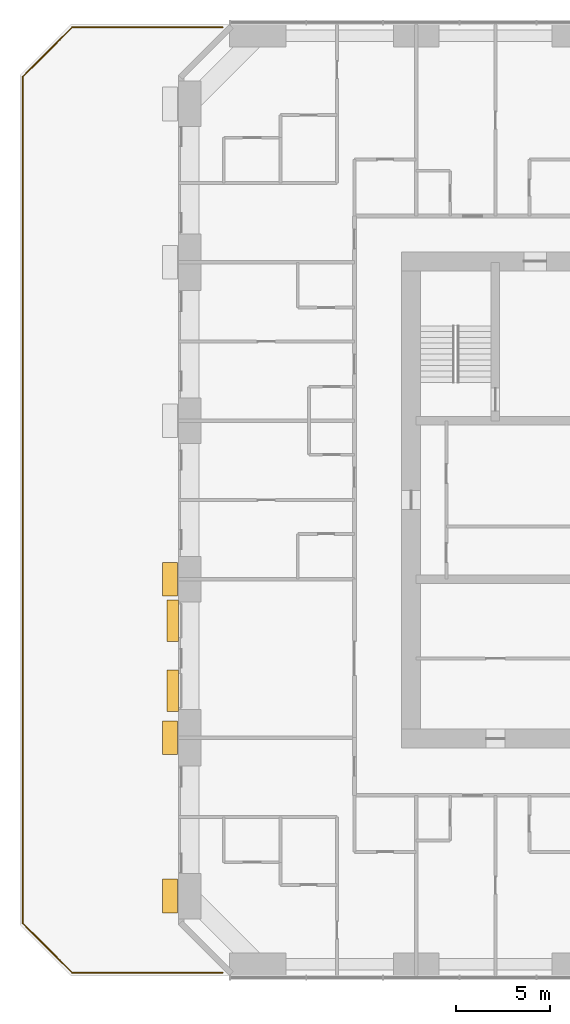
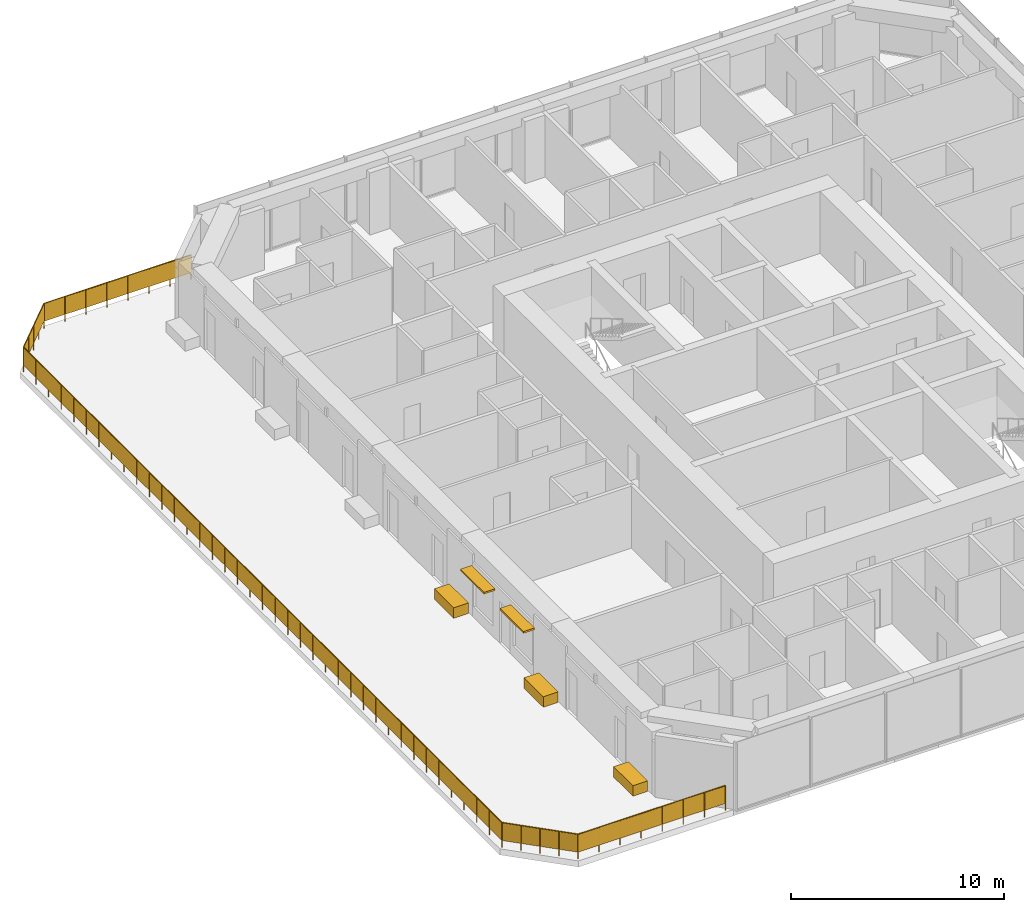
# One storey, part 12 of 13: 3 coverings, 2 shading devices, 1 railing.
"""IFC4 building model written with IfcOpenShell, lengths in metres."""

from ifc_helpers import new_model, si_unit, direction, frame, origin, origin_2d, place, context, subcontext, project, spatial, polyline, rectangle, circle, outline, extrude, material, layer, layer_set, type_object, element, save


model = new_model("IFC4")

# Units and contexts
model_context = context("Model", 3, precision=1e-05, world=origin(), true_north=direction((0.0, 1.0)))
body_context = subcontext(model_context, "Body", "Model", "MODEL_VIEW")
ifc_project = project(units=[si_unit("LENGTHUNIT", "METRE"), si_unit("AREAUNIT", "SQUARE_METRE"), si_unit("VOLUMEUNIT", "CUBIC_METRE"), si_unit("PLANEANGLEUNIT", "RADIAN"), si_unit("MASSUNIT", "GRAM", prefix="KILO")], contexts=[model_context])

# Site, building, storey
site_placement = place(None, origin())
site = spatial("IfcSite", under=ifc_project, at=site_placement, CompositionType="ELEMENT")
building_placement = place(site_placement, origin())
building = spatial("IfcBuilding", under=site, at=building_placement, Name="Dunama Terrace Hotel", CompositionType="ELEMENT")
storey_placement = place(building_placement, frame((0.0, 0.0, 225.60009765625)))
storey = spatial("IfcBuildingStorey", under=building, at=storey_placement, Name="L58", CompositionType="ELEMENT", Elevation=225.60009765625)

# Railing
ifc_material_1 = material(Name="Stainless steel and laminated glass guard", Category="steel")
railing_type = type_object("IfcRailingType", Name="Guard 1100", PredefinedType="GUARDRAIL", material=ifc_material_1)
railing_placement = place(storey_placement, frame((14.93798828125, 54.449951171875, 0.3408203125)))
element("IfcRailing", 1, at=railing_placement, inside=storey, type_object=railing_type, Name="Terrace guard L58", PredefinedType="GUARDRAIL", context=body_context, shape_type="SweptSolid", body=[
    extrude(circle(Radius=0.02392578125, at=origin_2d()), frame((0.0, 0.0, 1.076171875), z_axis=(-1.0, 0.0, 0.0), x_axis=(0.0, -1.0, 0.0)), (0.0, 0.0, 1.0), 7.97607421875),
    extrude(circle(Radius=0.02392578125, at=origin_2d()), frame((-7.97607421875, 0.0, 1.076171875), z_axis=(-0.707073733409, -0.70713982742, 0.0), x_axis=(0.70713982742, -0.707073733409, 0.0)), (0.0, 0.0, 1.0), 3.69384765625),
    extrude(circle(Radius=0.02392578125, at=origin_2d()), frame((-10.587890625, -2.612060546875, 1.076171875), z_axis=(0.0, -1.0, 0.0), x_axis=(1.0, 0.0, 0.0)), (0.0, 0.0, 1.0), 44.8759765625),
    extrude(circle(Radius=0.02392578125, at=origin_2d()), frame((-10.587890625, -47.488037109375, 1.076171875), z_axis=(0.707106781187, -0.707106781187, 0.0), x_axis=(0.707106781187, 0.707106781187, 0.0)), (0.0, 0.0, 1.0), 3.693603515625),
    extrude(circle(Radius=0.02392578125, at=origin_2d()), frame((-7.97607421875, -50.099853515625, 1.076171875), z_axis=(1.0, 0.0, 0.0), x_axis=(0.0, 1.0, 0.0)), (0.0, 0.0, 1.0), 7.97607421875),
    extrude(circle(Radius=0.02099609375, at=origin_2d()), frame((0.0, 0.0, -0.341064453125)), (0.0, 0.0, 1.0), 1.39306640625),
    extrude(circle(Radius=0.02099609375, at=origin_2d()), frame((-1.139404296875, 0.0, -0.341064453125)), (0.0, 0.0, 1.0), 1.39306640625),
    extrude(circle(Radius=0.02099609375, at=origin_2d()), frame((-2.27880859375, 0.0, -0.341064453125)), (0.0, 0.0, 1.0), 1.39306640625),
    extrude(circle(Radius=0.02099609375, at=origin_2d()), frame((-3.418212890625, 0.0, -0.341064453125)), (0.0, 0.0, 1.0), 1.39306640625),
    extrude(circle(Radius=0.02099609375, at=origin_2d()), frame((-4.557861328125, 0.0, -0.341064453125)), (0.0, 0.0, 1.0), 1.39306640625),
    extrude(circle(Radius=0.02099609375, at=origin_2d()), frame((-5.697265625, 0.0, -0.341064453125)), (0.0, 0.0, 1.0), 1.39306640625),
    extrude(circle(Radius=0.02099609375, at=origin_2d()), frame((-6.836669921875, 0.0, -0.341064453125)), (0.0, 0.0, 1.0), 1.39306640625),
    extrude(circle(Radius=0.02099609375, at=origin_2d()), frame((-7.97607421875, 0.0, -0.341064453125)), (0.0, 0.0, 1.0), 1.39306640625),
    extrude(circle(Radius=0.02099609375, at=origin_2d()), frame((-8.62890625, -0.653076171875, -0.341064453125)), (0.0, 0.0, 1.0), 1.39306640625),
    extrude(circle(Radius=0.02099609375, at=origin_2d()), frame((-9.281982421875, -1.30615234375, -0.341064453125)), (0.0, 0.0, 1.0), 1.39306640625),
    extrude(circle(Radius=0.02099609375, at=origin_2d()), frame((-9.93505859375, -1.958984375, -0.341064453125)), (0.0, 0.0, 1.0), 1.39306640625),
    extrude(circle(Radius=0.02099609375, at=origin_2d()), frame((-10.587890625, -2.612060546875, -0.341064453125)), (0.0, 0.0, 1.0), 1.39306640625),
    extrude(circle(Radius=0.02099609375, at=origin_2d()), frame((-10.587890625, -3.79296875, -0.341064453125)), (0.0, 0.0, 1.0), 1.39306640625),
    extrude(circle(Radius=0.02099609375, at=origin_2d()), frame((-10.587890625, -4.973876953125, -0.341064453125)), (0.0, 0.0, 1.0), 1.39306640625),
    extrude(circle(Radius=0.02099609375, at=origin_2d()), frame((-10.587890625, -6.15478515625, -0.341064453125)), (0.0, 0.0, 1.0), 1.39306640625),
    extrude(circle(Radius=0.02099609375, at=origin_2d()), frame((-10.587890625, -7.3359375, -0.341064453125)), (0.0, 0.0, 1.0), 1.39306640625),
    extrude(circle(Radius=0.02099609375, at=origin_2d()), frame((-10.587890625, -8.516845703125, -0.341064453125)), (0.0, 0.0, 1.0), 1.39306640625),
    extrude(circle(Radius=0.02099609375, at=origin_2d()), frame((-10.587890625, -9.69775390625, -0.341064453125)), (0.0, 0.0, 1.0), 1.39306640625),
    extrude(circle(Radius=0.02099609375, at=origin_2d()), frame((-10.587890625, -10.878662109375, -0.341064453125)), (0.0, 0.0, 1.0), 1.39306640625),
    extrude(circle(Radius=0.02099609375, at=origin_2d()), frame((-10.587890625, -12.0595703125, -0.341064453125)), (0.0, 0.0, 1.0), 1.39306640625),
    extrude(circle(Radius=0.02099609375, at=origin_2d()), frame((-10.587890625, -13.240478515625, -0.341064453125)), (0.0, 0.0, 1.0), 1.39306640625),
    extrude(circle(Radius=0.02099609375, at=origin_2d()), frame((-10.587890625, -14.421630859375, -0.341064453125)), (0.0, 0.0, 1.0), 1.39306640625),
    extrude(circle(Radius=0.02099609375, at=origin_2d()), frame((-10.587890625, -15.6025390625, -0.341064453125)), (0.0, 0.0, 1.0), 1.39306640625),
    extrude(circle(Radius=0.02099609375, at=origin_2d()), frame((-10.587890625, -16.783447265625, -0.341064453125)), (0.0, 0.0, 1.0), 1.39306640625),
    extrude(circle(Radius=0.02099609375, at=origin_2d()), frame((-10.587890625, -17.96435546875, -0.341064453125)), (0.0, 0.0, 1.0), 1.39306640625),
    extrude(circle(Radius=0.02099609375, at=origin_2d()), frame((-10.587890625, -19.145263671875, -0.341064453125)), (0.0, 0.0, 1.0), 1.39306640625),
    extrude(circle(Radius=0.02099609375, at=origin_2d()), frame((-10.587890625, -20.326171875, -0.341064453125)), (0.0, 0.0, 1.0), 1.39306640625),
    extrude(circle(Radius=0.02099609375, at=origin_2d()), frame((-10.587890625, -21.50732421875, -0.341064453125)), (0.0, 0.0, 1.0), 1.39306640625),
    extrude(circle(Radius=0.02099609375, at=origin_2d()), frame((-10.587890625, -22.688232421875, -0.341064453125)), (0.0, 0.0, 1.0), 1.39306640625),
    extrude(circle(Radius=0.02099609375, at=origin_2d()), frame((-10.587890625, -23.869140625, -0.341064453125)), (0.0, 0.0, 1.0), 1.39306640625),
    extrude(circle(Radius=0.02099609375, at=origin_2d()), frame((-10.587890625, -25.050048828125, -0.341064453125)), (0.0, 0.0, 1.0), 1.39306640625),
    extrude(circle(Radius=0.02099609375, at=origin_2d()), frame((-10.587890625, -26.23095703125, -0.341064453125)), (0.0, 0.0, 1.0), 1.39306640625),
    extrude(circle(Radius=0.02099609375, at=origin_2d()), frame((-10.587890625, -27.411865234375, -0.341064453125)), (0.0, 0.0, 1.0), 1.39306640625),
    extrude(circle(Radius=0.02099609375, at=origin_2d()), frame((-10.587890625, -28.5927734375, -0.341064453125)), (0.0, 0.0, 1.0), 1.39306640625),
    extrude(circle(Radius=0.02099609375, at=origin_2d()), frame((-10.587890625, -29.77392578125, -0.341064453125)), (0.0, 0.0, 1.0), 1.39306640625),
    extrude(circle(Radius=0.02099609375, at=origin_2d()), frame((-10.587890625, -30.954833984375, -0.341064453125)), (0.0, 0.0, 1.0), 1.39306640625),
    extrude(circle(Radius=0.02099609375, at=origin_2d()), frame((-10.587890625, -32.1357421875, -0.341064453125)), (0.0, 0.0, 1.0), 1.39306640625),
    extrude(circle(Radius=0.02099609375, at=origin_2d()), frame((-10.587890625, -33.316650390625, -0.341064453125)), (0.0, 0.0, 1.0), 1.39306640625),
    extrude(circle(Radius=0.02099609375, at=origin_2d()), frame((-10.587890625, -34.49755859375, -0.341064453125)), (0.0, 0.0, 1.0), 1.39306640625),
    extrude(circle(Radius=0.02099609375, at=origin_2d()), frame((-10.587890625, -35.678466796875, -0.341064453125)), (0.0, 0.0, 1.0), 1.39306640625),
    extrude(circle(Radius=0.02099609375, at=origin_2d()), frame((-10.587890625, -36.859619140625, -0.341064453125)), (0.0, 0.0, 1.0), 1.39306640625),
    extrude(circle(Radius=0.02099609375, at=origin_2d()), frame((-10.587890625, -38.04052734375, -0.341064453125)), (0.0, 0.0, 1.0), 1.39306640625),
    extrude(circle(Radius=0.02099609375, at=origin_2d()), frame((-10.587890625, -39.221435546875, -0.341064453125)), (0.0, 0.0, 1.0), 1.39306640625),
    extrude(circle(Radius=0.02099609375, at=origin_2d()), frame((-10.587890625, -40.40234375, -0.341064453125)), (0.0, 0.0, 1.0), 1.39306640625),
    extrude(circle(Radius=0.02099609375, at=origin_2d()), frame((-10.587890625, -41.583251953125, -0.341064453125)), (0.0, 0.0, 1.0), 1.39306640625),
    extrude(circle(Radius=0.02099609375, at=origin_2d()), frame((-10.587890625, -42.76416015625, -0.341064453125)), (0.0, 0.0, 1.0), 1.39306640625),
    extrude(circle(Radius=0.02099609375, at=origin_2d()), frame((-10.587890625, -43.9453125, -0.341064453125)), (0.0, 0.0, 1.0), 1.39306640625),
    extrude(circle(Radius=0.02099609375, at=origin_2d()), frame((-10.587890625, -45.126220703125, -0.341064453125)), (0.0, 0.0, 1.0), 1.39306640625),
    extrude(circle(Radius=0.02099609375, at=origin_2d()), frame((-10.587890625, -46.30712890625, -0.341064453125)), (0.0, 0.0, 1.0), 1.39306640625),
    extrude(circle(Radius=0.02099609375, at=origin_2d()), frame((-10.587890625, -47.488037109375, -0.341064453125)), (0.0, 0.0, 1.0), 1.39306640625),
    extrude(circle(Radius=0.02099609375, at=origin_2d()), frame((-9.93505859375, -48.14111328125, -0.341064453125)), (0.0, 0.0, 1.0), 1.39306640625),
    extrude(circle(Radius=0.02099609375, at=origin_2d()), frame((-9.281982421875, -48.7939453125, -0.341064453125)), (0.0, 0.0, 1.0), 1.39306640625),
    extrude(circle(Radius=0.02099609375, at=origin_2d()), frame((-8.62890625, -49.44677734375, -0.341064453125)), (0.0, 0.0, 1.0), 1.39306640625),
    extrude(circle(Radius=0.02099609375, at=origin_2d()), frame((-7.97607421875, -50.099853515625, -0.341064453125)), (0.0, 0.0, 1.0), 1.39306640625),
    extrude(circle(Radius=0.02099609375, at=origin_2d()), frame((-6.836669921875, -50.099853515625, -0.341064453125)), (0.0, 0.0, 1.0), 1.39306640625),
    extrude(circle(Radius=0.02099609375, at=origin_2d()), frame((-5.697265625, -50.099853515625, -0.341064453125)), (0.0, 0.0, 1.0), 1.39306640625),
    extrude(circle(Radius=0.02099609375, at=origin_2d()), frame((-4.557861328125, -50.099853515625, -0.341064453125)), (0.0, 0.0, 1.0), 1.39306640625),
    extrude(circle(Radius=0.02099609375, at=origin_2d()), frame((-3.418212890625, -50.099853515625, -0.341064453125)), (0.0, 0.0, 1.0), 1.39306640625),
    extrude(circle(Radius=0.02099609375, at=origin_2d()), frame((-2.27880859375, -50.099853515625, -0.341064453125)), (0.0, 0.0, 1.0), 1.39306640625),
    extrude(circle(Radius=0.02099609375, at=origin_2d()), frame((-1.139404296875, -50.099853515625, -0.341064453125)), (0.0, 0.0, 1.0), 1.39306640625),
    extrude(circle(Radius=0.02099609375, at=origin_2d()), frame((0.0, -50.099853515625, -0.341064453125)), (0.0, 0.0, 1.0), 1.39306640625),
    extrude(outline(polyline([(0.0048828125, 0.050048828125), (1.134521484375, 0.050048828125), (1.134521484375, 1.076171875), (0.0048828125, 1.076171875), (0.0048828125, 0.050048828125)])), frame((0.0, -0.0087890625, 0.0), z_axis=(0.0, 1.0, 0.0), x_axis=(-1.0, 0.0, 0.0)), (0.0, 0.0, 1.0), 0.017578125),
    extrude(outline(polyline([(0.0048828125, 0.050048828125), (1.134521484375, 0.050048828125), (1.134521484375, 1.076171875), (0.0048828125, 1.076171875), (0.0048828125, 0.050048828125)])), frame((-1.139404296875, -0.0087890625, 0.0), z_axis=(0.0, 1.0, 0.0), x_axis=(-1.0, 0.0, 0.0)), (0.0, 0.0, 1.0), 0.017578125),
    extrude(outline(polyline([(0.0048828125, 0.050048828125), (1.134521484375, 0.050048828125), (1.134521484375, 1.076171875), (0.0048828125, 1.076171875), (0.0048828125, 0.050048828125)])), frame((-2.27880859375, -0.0087890625, 0.0), z_axis=(0.0, 1.0, 0.0), x_axis=(-1.0, 0.0, 0.0)), (0.0, 0.0, 1.0), 0.017578125),
    extrude(outline(polyline([(0.0048828125, 0.050048828125), (1.134521484375, 0.050048828125), (1.134521484375, 1.076171875), (0.0048828125, 1.076171875), (0.0048828125, 0.050048828125)])), frame((-3.418212890625, -0.0087890625, 0.0), z_axis=(0.0, 1.0, 0.0), x_axis=(-1.0, 0.0, 0.0)), (0.0, 0.0, 1.0), 0.017578125),
    extrude(outline(polyline([(0.0048828125, 0.050048828125), (1.134521484375, 0.050048828125), (1.134521484375, 1.076171875), (0.0048828125, 1.076171875), (0.0048828125, 0.050048828125)])), frame((-4.557861328125, -0.0087890625, 0.0), z_axis=(0.0, 1.0, 0.0), x_axis=(-1.0, 0.0, 0.0)), (0.0, 0.0, 1.0), 0.017578125),
    extrude(outline(polyline([(0.0048828125, 0.050048828125), (1.134521484375, 0.050048828125), (1.134521484375, 1.076171875), (0.0048828125, 1.076171875), (0.0048828125, 0.050048828125)])), frame((-5.697265625, -0.0087890625, 0.0), z_axis=(0.0, 1.0, 0.0), x_axis=(-1.0, 0.0, 0.0)), (0.0, 0.0, 1.0), 0.017578125),
    extrude(outline(polyline([(0.0048828125, 0.050048828125), (1.134521484375, 0.050048828125), (1.134521484375, 1.076171875), (0.0048828125, 1.076171875), (0.0048828125, 0.050048828125)])), frame((-6.836669921875, -0.0087890625, 0.0), z_axis=(0.0, 1.0, 0.0), x_axis=(-1.0, 0.0, 0.0)), (0.0, 0.0, 1.0), 0.017578125),
    extrude(outline(polyline([(0.0048828125, 0.050048828125), (0.91845703125, 0.050048828125), (0.91845703125, 1.076171875), (0.0048828125, 1.076171875), (0.0048828125, 0.050048828125)])), frame((-7.969970703125, -0.006103515625, 0.0), z_axis=(-0.70713982742, 0.707073733409, 0.0), x_axis=(-0.707073733409, -0.70713982742, 0.0)), (0.0, 0.0, 1.0), 0.017578125),
    extrude(outline(polyline([(0.0048828125, 0.050048828125), (0.91845703125, 0.050048828125), (0.91845703125, 1.076171875), (0.0048828125, 1.076171875), (0.0048828125, 0.050048828125)])), frame((-8.622802734375, -0.6591796875, 0.0), z_axis=(-0.70713982742, 0.707073733409, 0.0), x_axis=(-0.707073733409, -0.70713982742, 0.0)), (0.0, 0.0, 1.0), 0.017578125),
    extrude(outline(polyline([(0.0048828125, 0.050048828125), (0.91845703125, 0.050048828125), (0.91845703125, 1.076171875), (0.0048828125, 1.076171875), (0.0048828125, 0.050048828125)])), frame((-9.27587890625, -1.312255859375, 0.0), z_axis=(-0.70713982742, 0.707073733409, 0.0), x_axis=(-0.707073733409, -0.70713982742, 0.0)), (0.0, 0.0, 1.0), 0.017578125),
    extrude(outline(polyline([(0.0048828125, 0.050048828125), (0.91845703125, 0.050048828125), (0.91845703125, 1.076171875), (0.0048828125, 1.076171875), (0.0048828125, 0.050048828125)])), frame((-9.9287109375, -1.96533203125, 0.0), z_axis=(-0.70713982742, 0.707073733409, 0.0), x_axis=(-0.707073733409, -0.70713982742, 0.0)), (0.0, 0.0, 1.0), 0.017578125),
    extrude(outline(polyline([(0.0048828125, 0.050048828125), (1.176025390625, 0.050048828125), (1.176025390625, 1.076171875), (0.0048828125, 1.076171875), (0.0048828125, 0.050048828125)])), frame((-10.5791015625, -2.612060546875, 0.0), z_axis=(-1.0, 0.0, 0.0), x_axis=(0.0, -1.0, 0.0)), (0.0, 0.0, 1.0), 0.017578125),
    extrude(outline(polyline([(0.0048828125, 0.050048828125), (1.176025390625, 0.050048828125), (1.176025390625, 1.076171875), (0.0048828125, 1.076171875), (0.0048828125, 0.050048828125)])), frame((-10.5791015625, -3.79296875, 0.0), z_axis=(-1.0, 0.0, 0.0), x_axis=(0.0, -1.0, 0.0)), (0.0, 0.0, 1.0), 0.017578125),
    extrude(outline(polyline([(0.0048828125, 0.050048828125), (1.176025390625, 0.050048828125), (1.176025390625, 1.076171875), (0.0048828125, 1.076171875), (0.0048828125, 0.050048828125)])), frame((-10.5791015625, -4.973876953125, 0.0), z_axis=(-1.0, 0.0, 0.0), x_axis=(0.0, -1.0, 0.0)), (0.0, 0.0, 1.0), 0.017578125),
    extrude(outline(polyline([(0.0048828125, 0.050048828125), (1.176025390625, 0.050048828125), (1.176025390625, 1.076171875), (0.0048828125, 1.076171875), (0.0048828125, 0.050048828125)])), frame((-10.5791015625, -6.15478515625, 0.0), z_axis=(-1.0, 0.0, 0.0), x_axis=(0.0, -1.0, 0.0)), (0.0, 0.0, 1.0), 0.017578125),
    extrude(outline(polyline([(0.0048828125, 0.050048828125), (1.176025390625, 0.050048828125), (1.176025390625, 1.076171875), (0.0048828125, 1.076171875), (0.0048828125, 0.050048828125)])), frame((-10.5791015625, -7.3359375, 0.0), z_axis=(-1.0, 0.0, 0.0), x_axis=(0.0, -1.0, 0.0)), (0.0, 0.0, 1.0), 0.017578125),
    extrude(outline(polyline([(0.0048828125, 0.050048828125), (1.176025390625, 0.050048828125), (1.176025390625, 1.076171875), (0.0048828125, 1.076171875), (0.0048828125, 0.050048828125)])), frame((-10.5791015625, -8.516845703125, 0.0), z_axis=(-1.0, 0.0, 0.0), x_axis=(0.0, -1.0, 0.0)), (0.0, 0.0, 1.0), 0.017578125),
    extrude(outline(polyline([(0.0048828125, 0.050048828125), (1.176025390625, 0.050048828125), (1.176025390625, 1.076171875), (0.0048828125, 1.076171875), (0.0048828125, 0.050048828125)])), frame((-10.5791015625, -9.69775390625, 0.0), z_axis=(-1.0, 0.0, 0.0), x_axis=(0.0, -1.0, 0.0)), (0.0, 0.0, 1.0), 0.017578125),
    extrude(outline(polyline([(0.0048828125, 0.050048828125), (1.176025390625, 0.050048828125), (1.176025390625, 1.076171875), (0.0048828125, 1.076171875), (0.0048828125, 0.050048828125)])), frame((-10.5791015625, -10.878662109375, 0.0), z_axis=(-1.0, 0.0, 0.0), x_axis=(0.0, -1.0, 0.0)), (0.0, 0.0, 1.0), 0.017578125),
    extrude(outline(polyline([(0.0048828125, 0.050048828125), (1.176025390625, 0.050048828125), (1.176025390625, 1.076171875), (0.0048828125, 1.076171875), (0.0048828125, 0.050048828125)])), frame((-10.5791015625, -12.0595703125, 0.0), z_axis=(-1.0, 0.0, 0.0), x_axis=(0.0, -1.0, 0.0)), (0.0, 0.0, 1.0), 0.017578125),
    extrude(outline(polyline([(0.0048828125, 0.050048828125), (1.176025390625, 0.050048828125), (1.176025390625, 1.076171875), (0.0048828125, 1.076171875), (0.0048828125, 0.050048828125)])), frame((-10.5791015625, -13.240478515625, 0.0), z_axis=(-1.0, 0.0, 0.0), x_axis=(0.0, -1.0, 0.0)), (0.0, 0.0, 1.0), 0.017578125),
    extrude(outline(polyline([(0.0048828125, 0.050048828125), (1.176025390625, 0.050048828125), (1.176025390625, 1.076171875), (0.0048828125, 1.076171875), (0.0048828125, 0.050048828125)])), frame((-10.5791015625, -14.421630859375, 0.0), z_axis=(-1.0, 0.0, 0.0), x_axis=(0.0, -1.0, 0.0)), (0.0, 0.0, 1.0), 0.017578125),
    extrude(outline(polyline([(0.0048828125, 0.050048828125), (1.176025390625, 0.050048828125), (1.176025390625, 1.076171875), (0.0048828125, 1.076171875), (0.0048828125, 0.050048828125)])), frame((-10.5791015625, -15.6025390625, 0.0), z_axis=(-1.0, 0.0, 0.0), x_axis=(0.0, -1.0, 0.0)), (0.0, 0.0, 1.0), 0.017578125),
    extrude(outline(polyline([(0.0048828125, 0.050048828125), (1.176025390625, 0.050048828125), (1.176025390625, 1.076171875), (0.0048828125, 1.076171875), (0.0048828125, 0.050048828125)])), frame((-10.5791015625, -16.783447265625, 0.0), z_axis=(-1.0, 0.0, 0.0), x_axis=(0.0, -1.0, 0.0)), (0.0, 0.0, 1.0), 0.017578125),
    extrude(outline(polyline([(0.0048828125, 0.050048828125), (1.176025390625, 0.050048828125), (1.176025390625, 1.076171875), (0.0048828125, 1.076171875), (0.0048828125, 0.050048828125)])), frame((-10.5791015625, -17.96435546875, 0.0), z_axis=(-1.0, 0.0, 0.0), x_axis=(0.0, -1.0, 0.0)), (0.0, 0.0, 1.0), 0.017578125),
    extrude(outline(polyline([(0.0048828125, 0.050048828125), (1.176025390625, 0.050048828125), (1.176025390625, 1.076171875), (0.0048828125, 1.076171875), (0.0048828125, 0.050048828125)])), frame((-10.5791015625, -19.145263671875, 0.0), z_axis=(-1.0, 0.0, 0.0), x_axis=(0.0, -1.0, 0.0)), (0.0, 0.0, 1.0), 0.017578125),
    extrude(outline(polyline([(0.0048828125, 0.050048828125), (1.176025390625, 0.050048828125), (1.176025390625, 1.076171875), (0.0048828125, 1.076171875), (0.0048828125, 0.050048828125)])), frame((-10.5791015625, -20.326171875, 0.0), z_axis=(-1.0, 0.0, 0.0), x_axis=(0.0, -1.0, 0.0)), (0.0, 0.0, 1.0), 0.017578125),
    extrude(outline(polyline([(0.0048828125, 0.050048828125), (1.176025390625, 0.050048828125), (1.176025390625, 1.076171875), (0.0048828125, 1.076171875), (0.0048828125, 0.050048828125)])), frame((-10.5791015625, -21.50732421875, 0.0), z_axis=(-1.0, 0.0, 0.0), x_axis=(0.0, -1.0, 0.0)), (0.0, 0.0, 1.0), 0.017578125),
    extrude(outline(polyline([(0.0048828125, 0.050048828125), (1.176025390625, 0.050048828125), (1.176025390625, 1.076171875), (0.0048828125, 1.076171875), (0.0048828125, 0.050048828125)])), frame((-10.5791015625, -22.688232421875, 0.0), z_axis=(-1.0, 0.0, 0.0), x_axis=(0.0, -1.0, 0.0)), (0.0, 0.0, 1.0), 0.017578125),
    extrude(outline(polyline([(0.0048828125, 0.050048828125), (1.176025390625, 0.050048828125), (1.176025390625, 1.076171875), (0.0048828125, 1.076171875), (0.0048828125, 0.050048828125)])), frame((-10.5791015625, -23.869140625, 0.0), z_axis=(-1.0, 0.0, 0.0), x_axis=(0.0, -1.0, 0.0)), (0.0, 0.0, 1.0), 0.017578125),
    extrude(outline(polyline([(0.0048828125, 0.050048828125), (1.176025390625, 0.050048828125), (1.176025390625, 1.076171875), (0.0048828125, 1.076171875), (0.0048828125, 0.050048828125)])), frame((-10.5791015625, -25.050048828125, 0.0), z_axis=(-1.0, 0.0, 0.0), x_axis=(0.0, -1.0, 0.0)), (0.0, 0.0, 1.0), 0.017578125),
    extrude(outline(polyline([(0.0048828125, 0.050048828125), (1.176025390625, 0.050048828125), (1.176025390625, 1.076171875), (0.0048828125, 1.076171875), (0.0048828125, 0.050048828125)])), frame((-10.5791015625, -26.23095703125, 0.0), z_axis=(-1.0, 0.0, 0.0), x_axis=(0.0, -1.0, 0.0)), (0.0, 0.0, 1.0), 0.017578125),
    extrude(outline(polyline([(0.0048828125, 0.050048828125), (1.176025390625, 0.050048828125), (1.176025390625, 1.076171875), (0.0048828125, 1.076171875), (0.0048828125, 0.050048828125)])), frame((-10.5791015625, -27.411865234375, 0.0), z_axis=(-1.0, 0.0, 0.0), x_axis=(0.0, -1.0, 0.0)), (0.0, 0.0, 1.0), 0.017578125),
    extrude(outline(polyline([(0.0048828125, 0.050048828125), (1.176025390625, 0.050048828125), (1.176025390625, 1.076171875), (0.0048828125, 1.076171875), (0.0048828125, 0.050048828125)])), frame((-10.5791015625, -28.5927734375, 0.0), z_axis=(-1.0, 0.0, 0.0), x_axis=(0.0, -1.0, 0.0)), (0.0, 0.0, 1.0), 0.017578125),
    extrude(outline(polyline([(0.0048828125, 0.050048828125), (1.176025390625, 0.050048828125), (1.176025390625, 1.076171875), (0.0048828125, 1.076171875), (0.0048828125, 0.050048828125)])), frame((-10.5791015625, -29.77392578125, 0.0), z_axis=(-1.0, 0.0, 0.0), x_axis=(0.0, -1.0, 0.0)), (0.0, 0.0, 1.0), 0.017578125),
    extrude(outline(polyline([(0.0048828125, 0.050048828125), (1.176025390625, 0.050048828125), (1.176025390625, 1.076171875), (0.0048828125, 1.076171875), (0.0048828125, 0.050048828125)])), frame((-10.5791015625, -30.954833984375, 0.0), z_axis=(-1.0, 0.0, 0.0), x_axis=(0.0, -1.0, 0.0)), (0.0, 0.0, 1.0), 0.017578125),
    extrude(outline(polyline([(0.0048828125, 0.050048828125), (1.176025390625, 0.050048828125), (1.176025390625, 1.076171875), (0.0048828125, 1.076171875), (0.0048828125, 0.050048828125)])), frame((-10.5791015625, -32.1357421875, 0.0), z_axis=(-1.0, 0.0, 0.0), x_axis=(0.0, -1.0, 0.0)), (0.0, 0.0, 1.0), 0.017578125),
    extrude(outline(polyline([(0.0048828125, 0.050048828125), (1.176025390625, 0.050048828125), (1.176025390625, 1.076171875), (0.0048828125, 1.076171875), (0.0048828125, 0.050048828125)])), frame((-10.5791015625, -33.316650390625, 0.0), z_axis=(-1.0, 0.0, 0.0), x_axis=(0.0, -1.0, 0.0)), (0.0, 0.0, 1.0), 0.017578125),
    extrude(outline(polyline([(0.0048828125, 0.050048828125), (1.176025390625, 0.050048828125), (1.176025390625, 1.076171875), (0.0048828125, 1.076171875), (0.0048828125, 0.050048828125)])), frame((-10.5791015625, -34.49755859375, 0.0), z_axis=(-1.0, 0.0, 0.0), x_axis=(0.0, -1.0, 0.0)), (0.0, 0.0, 1.0), 0.017578125),
    extrude(outline(polyline([(0.0048828125, 0.050048828125), (1.176025390625, 0.050048828125), (1.176025390625, 1.076171875), (0.0048828125, 1.076171875), (0.0048828125, 0.050048828125)])), frame((-10.5791015625, -35.678466796875, 0.0), z_axis=(-1.0, 0.0, 0.0), x_axis=(0.0, -1.0, 0.0)), (0.0, 0.0, 1.0), 0.017578125),
    extrude(outline(polyline([(0.0048828125, 0.050048828125), (1.176025390625, 0.050048828125), (1.176025390625, 1.076171875), (0.0048828125, 1.076171875), (0.0048828125, 0.050048828125)])), frame((-10.5791015625, -36.859619140625, 0.0), z_axis=(-1.0, 0.0, 0.0), x_axis=(0.0, -1.0, 0.0)), (0.0, 0.0, 1.0), 0.017578125),
    extrude(outline(polyline([(0.0048828125, 0.050048828125), (1.176025390625, 0.050048828125), (1.176025390625, 1.076171875), (0.0048828125, 1.076171875), (0.0048828125, 0.050048828125)])), frame((-10.5791015625, -38.04052734375, 0.0), z_axis=(-1.0, 0.0, 0.0), x_axis=(0.0, -1.0, 0.0)), (0.0, 0.0, 1.0), 0.017578125),
    extrude(outline(polyline([(0.0048828125, 0.050048828125), (1.176025390625, 0.050048828125), (1.176025390625, 1.076171875), (0.0048828125, 1.076171875), (0.0048828125, 0.050048828125)])), frame((-10.5791015625, -39.221435546875, 0.0), z_axis=(-1.0, 0.0, 0.0), x_axis=(0.0, -1.0, 0.0)), (0.0, 0.0, 1.0), 0.017578125),
    extrude(outline(polyline([(0.0048828125, 0.050048828125), (1.176025390625, 0.050048828125), (1.176025390625, 1.076171875), (0.0048828125, 1.076171875), (0.0048828125, 0.050048828125)])), frame((-10.5791015625, -40.40234375, 0.0), z_axis=(-1.0, 0.0, 0.0), x_axis=(0.0, -1.0, 0.0)), (0.0, 0.0, 1.0), 0.017578125),
    extrude(outline(polyline([(0.0048828125, 0.050048828125), (1.176025390625, 0.050048828125), (1.176025390625, 1.076171875), (0.0048828125, 1.076171875), (0.0048828125, 0.050048828125)])), frame((-10.5791015625, -41.583251953125, 0.0), z_axis=(-1.0, 0.0, 0.0), x_axis=(0.0, -1.0, 0.0)), (0.0, 0.0, 1.0), 0.017578125),
    extrude(outline(polyline([(0.0048828125, 0.050048828125), (1.176025390625, 0.050048828125), (1.176025390625, 1.076171875), (0.0048828125, 1.076171875), (0.0048828125, 0.050048828125)])), frame((-10.5791015625, -42.76416015625, 0.0), z_axis=(-1.0, 0.0, 0.0), x_axis=(0.0, -1.0, 0.0)), (0.0, 0.0, 1.0), 0.017578125),
    extrude(outline(polyline([(0.0048828125, 0.050048828125), (1.176025390625, 0.050048828125), (1.176025390625, 1.076171875), (0.0048828125, 1.076171875), (0.0048828125, 0.050048828125)])), frame((-10.5791015625, -43.9453125, 0.0), z_axis=(-1.0, 0.0, 0.0), x_axis=(0.0, -1.0, 0.0)), (0.0, 0.0, 1.0), 0.017578125),
    extrude(outline(polyline([(0.0048828125, 0.050048828125), (1.176025390625, 0.050048828125), (1.176025390625, 1.076171875), (0.0048828125, 1.076171875), (0.0048828125, 0.050048828125)])), frame((-10.5791015625, -45.126220703125, 0.0), z_axis=(-1.0, 0.0, 0.0), x_axis=(0.0, -1.0, 0.0)), (0.0, 0.0, 1.0), 0.017578125),
    extrude(outline(polyline([(0.0048828125, 0.050048828125), (1.176025390625, 0.050048828125), (1.176025390625, 1.076171875), (0.0048828125, 1.076171875), (0.0048828125, 0.050048828125)])), frame((-10.5791015625, -46.30712890625, 0.0), z_axis=(-1.0, 0.0, 0.0), x_axis=(0.0, -1.0, 0.0)), (0.0, 0.0, 1.0), 0.017578125),
    extrude(outline(polyline([(0.0048828125, 0.050048828125), (0.91845703125, 0.050048828125), (0.91845703125, 1.076171875), (0.0048828125, 1.076171875), (0.0048828125, 0.050048828125)])), frame((-10.581787109375, -47.48193359375, 0.0), z_axis=(-0.707106781187, -0.707106781187, 0.0), x_axis=(0.707106781187, -0.707106781187, 0.0)), (0.0, 0.0, 1.0), 0.017578125),
    extrude(outline(polyline([(0.0048828125, 0.050048828125), (0.91845703125, 0.050048828125), (0.91845703125, 1.076171875), (0.0048828125, 1.076171875), (0.0048828125, 0.050048828125)])), frame((-9.9287109375, -48.134765625, 0.0), z_axis=(-0.707106781187, -0.707106781187, 0.0), x_axis=(0.707106781187, -0.707106781187, 0.0)), (0.0, 0.0, 1.0), 0.017578125),
    extrude(outline(polyline([(0.0048828125, 0.050048828125), (0.91845703125, 0.050048828125), (0.91845703125, 1.076171875), (0.0048828125, 1.076171875), (0.0048828125, 0.050048828125)])), frame((-9.27587890625, -48.787841796875, 0.0), z_axis=(-0.707106781187, -0.707106781187, 0.0), x_axis=(0.707106781187, -0.707106781187, 0.0)), (0.0, 0.0, 1.0), 0.017578125),
    extrude(outline(polyline([(0.0048828125, 0.050048828125), (0.91845703125, 0.050048828125), (0.91845703125, 1.076171875), (0.0048828125, 1.076171875), (0.0048828125, 0.050048828125)])), frame((-8.622802734375, -49.440673828125, 0.0), z_axis=(-0.707106781187, -0.707106781187, 0.0), x_axis=(0.707106781187, -0.707106781187, 0.0)), (0.0, 0.0, 1.0), 0.017578125),
    extrude(outline(polyline([(0.0048828125, 0.050048828125), (1.134521484375, 0.050048828125), (1.134521484375, 1.076171875), (0.0048828125, 1.076171875), (0.0048828125, 0.050048828125)])), frame((-7.97607421875, -50.091064453125, 0.0), z_axis=(0.0, -1.0, 0.0), x_axis=(1.0, 0.0, 0.0)), (0.0, 0.0, 1.0), 0.017578125),
    extrude(outline(polyline([(0.0048828125, 0.050048828125), (1.134521484375, 0.050048828125), (1.134521484375, 1.076171875), (0.0048828125, 1.076171875), (0.0048828125, 0.050048828125)])), frame((-6.836669921875, -50.091064453125, 0.0), z_axis=(0.0, -1.0, 0.0), x_axis=(1.0, 0.0, 0.0)), (0.0, 0.0, 1.0), 0.017578125),
    extrude(outline(polyline([(0.0048828125, 0.050048828125), (1.134521484375, 0.050048828125), (1.134521484375, 1.076171875), (0.0048828125, 1.076171875), (0.0048828125, 0.050048828125)])), frame((-5.697265625, -50.091064453125, 0.0), z_axis=(0.0, -1.0, 0.0), x_axis=(1.0, 0.0, 0.0)), (0.0, 0.0, 1.0), 0.017578125),
    extrude(outline(polyline([(0.0048828125, 0.050048828125), (1.134521484375, 0.050048828125), (1.134521484375, 1.076171875), (0.0048828125, 1.076171875), (0.0048828125, 0.050048828125)])), frame((-4.557861328125, -50.091064453125, 0.0), z_axis=(0.0, -1.0, 0.0), x_axis=(1.0, 0.0, 0.0)), (0.0, 0.0, 1.0), 0.017578125),
    extrude(outline(polyline([(0.0048828125, 0.050048828125), (1.134521484375, 0.050048828125), (1.134521484375, 1.076171875), (0.0048828125, 1.076171875), (0.0048828125, 0.050048828125)])), frame((-3.418212890625, -50.091064453125, 0.0), z_axis=(0.0, -1.0, 0.0), x_axis=(1.0, 0.0, 0.0)), (0.0, 0.0, 1.0), 0.017578125),
    extrude(outline(polyline([(0.0048828125, 0.050048828125), (1.134521484375, 0.050048828125), (1.134521484375, 1.076171875), (0.0048828125, 1.076171875), (0.0048828125, 0.050048828125)])), frame((-2.27880859375, -50.091064453125, 0.0), z_axis=(0.0, -1.0, 0.0), x_axis=(1.0, 0.0, 0.0)), (0.0, 0.0, 1.0), 0.017578125),
    extrude(outline(polyline([(0.0048828125, 0.050048828125), (1.134521484375, 0.050048828125), (1.134521484375, 1.076171875), (0.0048828125, 1.076171875), (0.0048828125, 0.050048828125)])), frame((-1.139404296875, -50.091064453125, 0.0), z_axis=(0.0, -1.0, 0.0), x_axis=(1.0, 0.0, 0.0)), (0.0, 0.0, 1.0), 0.017578125),
])

# Shading devices
ifc_material_2 = material(Name="Precast stone sunshade", Category="masonry")
ifc_layer = layer(ifc_material_2, 0.10009765625)
ifc_layer_set = layer_set([ifc_layer], Name="Stone sunshade 600")
shading_device_type = type_object("IfcShadingDeviceType", Name="Stone sunshade 600", PredefinedType="USERDEFINED", material=ifc_layer_set)
for number, where, z_axis, x_axis, name in (
    (2, (12.300048828125, 19.300048828125, 2.749755859375), (0.0, 0.0, 1.0), (0.0, -1.0, 0.0), "Sunshade L58"),
    (3, (12.300048828125, 23.0, 2.749755859375), (0.0, 0.0, 1.0), (0.0, -1.0, 0.0), "Sunshade L58"),
):
    element("IfcShadingDevice", number, at=place(storey_placement, frame(where, z_axis=z_axis, x_axis=x_axis)), inside=storey, type_object=shading_device_type, Name=name, ObjectType="SUNSHADE", PredefinedType="USERDEFINED", context=body_context, shape_type="SweptSolid", body=[
        extrude(rectangle(XDim=2.199951171875, YDim=0.60009765625, at=origin_2d()), origin(), (0.0, 0.0, 1.0), 0.10009765625),
    ])

# Coverings
ifc_material_3 = material(Name="Precast concrete planter", Category="concrete")
covering_type = type_object("IfcCoveringType", Name="Terrace planter 600", PredefinedType="USERDEFINED", material=ifc_material_3)
for number, where, z_axis, x_axis, name in (
    (4, (12.14990234375, 8.39990234375, -0.000244140625), (0.0, 0.0, 1.0), (1.0, 0.0, 0.0), "Terrace planter L58"),
    (5, (12.14990234375, 16.800048828125, -0.000244140625), (0.0, 0.0, 1.0), (1.0, 0.0, 0.0), "Terrace planter L58"),
    (6, (12.14990234375, 25.199951171875, -0.000244140625), (0.0, 0.0, 1.0), (1.0, 0.0, 0.0), "Terrace planter L58"),
):
    element("IfcCovering", number, at=place(storey_placement, frame(where, z_axis=z_axis, x_axis=x_axis)), inside=storey, type_object=covering_type, Name=name, ObjectType="PLANTER", PredefinedType="USERDEFINED", context=body_context, shape_type="SweptSolid", body=[
        extrude(rectangle(XDim=0.800048828125, YDim=1.800048828125, at=origin_2d()), origin(), (0.0, 0.0, 1.0), 0.60009765625),
    ])

save(model, "model.ifc")
